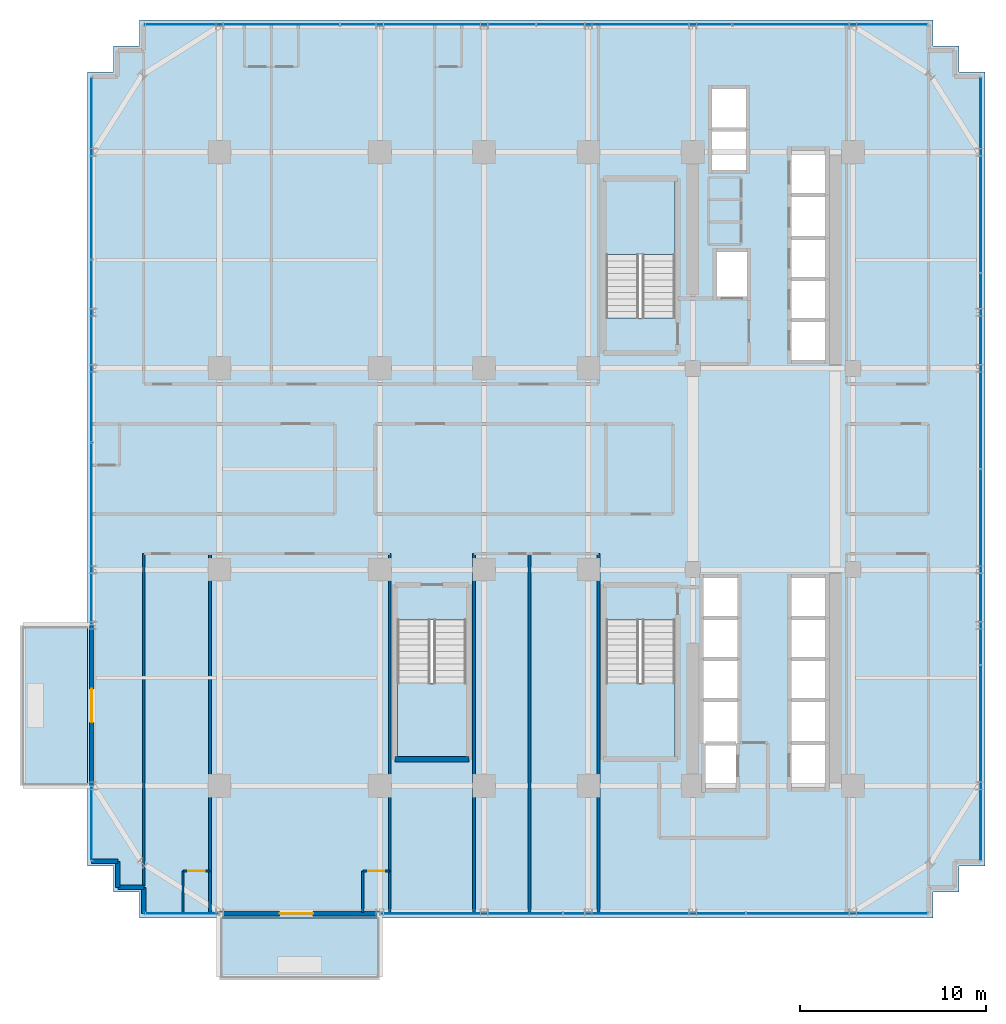
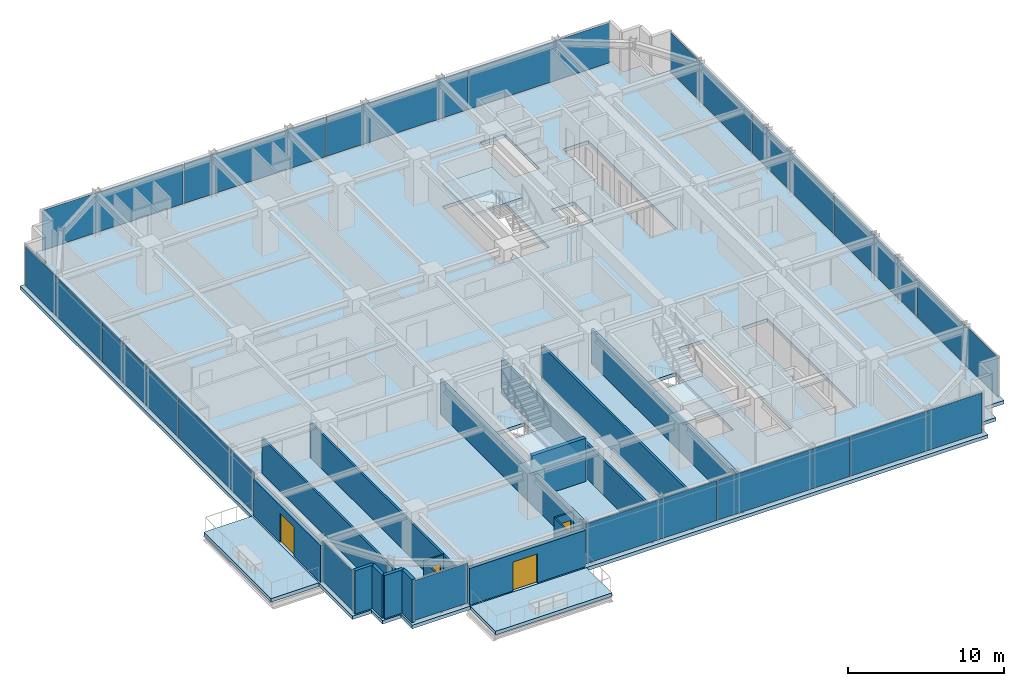
# One storey, part 25 of 32: 17 walls, 16 plates, 6 slabs, 4 doors, 4 openings, 9 elements without a shape of their own.
"""IFC4 building model written with IfcOpenShell, lengths in metres."""

from ifc_helpers import new_model, si_unit, direction, frame, frame_2d, origin, origin_2d, place, context, subcontext, project, spatial, polyline, rectangle, outline, extrude, source, transform, mapped, material, layer, layer_set, type_object, element, fill, aggregate, save


model = new_model("IFC4")

# Units and contexts
model_context = context("Model", 3, precision=1e-05, world=origin(), true_north=direction((0.0, 1.0)))
body_context = subcontext(model_context, "Body", "Model", "MODEL_VIEW")
ifc_project = project(units=[si_unit("LENGTHUNIT", "METRE"), si_unit("AREAUNIT", "SQUARE_METRE"), si_unit("VOLUMEUNIT", "CUBIC_METRE"), si_unit("PLANEANGLEUNIT", "RADIAN"), si_unit("MASSUNIT", "GRAM", prefix="KILO")], contexts=[model_context])

# Site, building, storey
site_placement = place(None, origin())
site = spatial("IfcSite", under=ifc_project, at=site_placement, CompositionType="ELEMENT")
building_placement = place(site_placement, origin())
building = spatial("IfcBuilding", under=site, at=building_placement, Name="Nahalor Promenade Grand Hotel", CompositionType="ELEMENT")
storey_placement = place(building_placement, frame((0.0, 0.0, 110.199951171875)))
storey = spatial("IfcBuildingStorey", under=building, at=storey_placement, Name="L27", CompositionType="ELEMENT", Elevation=110.199951171875)

# Stair, slab
ifc_material_1 = material(Name="Concrete B-50 (C40/50)", Category="concrete")
stair_type_1 = type_object("IfcStairType", Name="Stair-ST1", PredefinedType="HALF_TURN_STAIR", material=ifc_material_1)
stair_1_placement = place(storey_placement, origin())
stair_1 = element("IfcStair", 1, at=stair_1_placement, inside=storey, type_object=stair_type_1, Name="L27 ST1", PredefinedType="HALF_TURN_STAIR")
ifc_layer_1 = layer(ifc_material_1, 0.199951171875)
ifc_layer_set_1 = layer_set([ifc_layer_1], Name="Concrete B-50 (C40/50)")
slab_type_1 = type_object("IfcSlabType", Name="Landing-ST1", PredefinedType="LANDING", material=ifc_layer_set_1)
slab_1_placement = place(storey_placement, frame((0.0, 0.0, 1.625)))
slab_1 = element("IfcSlab", 2, at=slab_1_placement, type_object=slab_type_1, Name="ST1 landing 1", PredefinedType="LANDING", context=body_context, shape_type="SweptSolid", body=[
    extrude(outline(polyline([(7.449951171875, 11.5), (7.449951171875, 15.449951171875), (3.75, 15.449951171875), (3.75, 11.5), (7.449951171875, 11.5)])), origin(), (0.0, 0.0, 1.0), 0.199951171875),
])
aggregate(stair_1, [slab_1])

stair_type_2 = type_object("IfcStairType", Name="Stair-ST2", PredefinedType="HALF_TURN_STAIR", material=ifc_material_1)
stair_2_placement = place(storey_placement, origin())
stair_2 = element("IfcStair", 3, at=stair_2_placement, inside=storey, type_object=stair_type_2, Name="L27 ST2", PredefinedType="HALF_TURN_STAIR")
ifc_layer_2 = layer(ifc_material_1, 0.2099609375)
ifc_layer_set_2 = layer_set([ifc_layer_2], Name="Concrete B-50 (C40/50)")
slab_type_2 = type_object("IfcSlabType", Name="Landing-ST2", PredefinedType="LANDING", material=ifc_layer_set_2)
slab_2_placement = place(storey_placement, frame((0.0, 0.0, 1.614990234375)))
slab_2 = element("IfcSlab", 4, at=slab_2_placement, type_object=slab_type_2, Name="ST2 landing 1", PredefinedType="LANDING", context=body_context, shape_type="SweptSolid", body=[
    extrude(outline(polyline([(3.75, -11.5), (3.75, -15.449951171875), (7.449951171875, -15.449951171875), (7.449951171875, -11.5), (3.75, -11.5)])), origin(), (0.0, 0.0, 1.0), 0.2099609375),
])
aggregate(stair_2, [slab_2])

stair_type_3 = type_object("IfcStairType", Name="Stair-ST3", PredefinedType="HALF_TURN_STAIR", material=ifc_material_1)
stair_3_placement = place(storey_placement, origin())
stair_3 = element("IfcStair", 5, at=stair_3_placement, inside=storey, type_object=stair_type_3, Name="L27 ST3", PredefinedType="HALF_TURN_STAIR")
ifc_layer_3 = layer(ifc_material_1, 0.219970703125)
ifc_layer_set_3 = layer_set([ifc_layer_3], Name="Concrete B-50 (C40/50)")
slab_type_3 = type_object("IfcSlabType", Name="Landing-ST3", PredefinedType="LANDING", material=ifc_layer_set_3)
slab_3_placement = place(storey_placement, frame((0.0, 0.0, 1.60498046875)))
slab_3 = element("IfcSlab", 6, at=slab_3_placement, type_object=slab_type_3, Name="ST3 landing 1", PredefinedType="LANDING", context=body_context, shape_type="SweptSolid", body=[
    extrude(outline(polyline([(-7.449951171875, -11.5), (-7.449951171875, -15.449951171875), (-3.75, -15.449951171875), (-3.75, -11.5), (-7.449951171875, -11.5)])), origin(), (0.0, 0.0, 1.0), 0.219970703125),
])
aggregate(stair_3, [slab_3])

# Slabs
ifc_layer_4 = layer(ifc_material_1, 0.280029296875)
ifc_layer_set_4 = layer_set([ifc_layer_4], Name="Concrete B-50 (C40/50)")
slab_type_4 = type_object("IfcSlabType", Name="Slab-Balcony-280", PredefinedType="FLOOR", material=ifc_layer_set_4)
slab_4_placement = place(storey_placement, frame((0.0, 0.0, -0.280029296875)))
element("IfcSlab", 7, at=slab_4_placement, inside=storey, type_object=slab_type_4, Name="L27 Cantilevered Planted Balcony 1", PredefinedType="FLOOR", context=body_context, shape_type="SweptSolid", body=[
    extrude(outline(polyline([(-17.0, -27.360107421875), (-8.39990234375, -27.360107421875), (-8.39990234375, -24.10009765625), (-17.0, -24.10009765625), (-17.0, -27.360107421875)])), origin(), (0.0, 0.0, 1.0), 0.280029296875),
])
slab_5_placement = place(storey_placement, frame((0.0, 0.0, -0.280029296875)))
element("IfcSlab", 8, at=slab_5_placement, inside=storey, type_object=slab_type_4, Name="L27 Cantilevered Planted Balcony 2", PredefinedType="FLOOR", context=body_context, shape_type="SweptSolid", body=[
    extrude(outline(polyline([(-27.639892578125, -17.0), (-24.10009765625, -17.0), (-24.10009765625, -8.39990234375), (-27.639892578125, -8.39990234375), (-27.639892578125, -17.0)])), origin(), (0.0, 0.0, 1.0), 0.280029296875),
])
ifc_layer_5 = layer(ifc_material_1, 0.27001953125)
ifc_layer_set_5 = layer_set([ifc_layer_5], Name="Concrete B-50 (C40/50)")
slab_type_5 = type_object("IfcSlabType", Name="Slab-TowerZ2-270", PredefinedType="FLOOR", material=ifc_layer_set_5)
slab_6_placement = place(storey_placement, frame((0.0, 0.0, -0.27001953125)))
element("IfcSlab", 9, at=slab_6_placement, inside=storey, type_object=slab_type_5, Name="L27 Suspended Structural Floor Slab", PredefinedType="FLOOR", context=body_context, shape_type="SweptSolid", body=[
    extrude(outline(polyline([(-21.300048828125, -24.10009765625), (21.300048828125, -24.10009765625), (21.300048828125, -22.699951171875), (22.699951171875, -22.699951171875), (22.699951171875, -21.300048828125), (24.10009765625, -21.300048828125), (24.10009765625, 21.300048828125), (22.699951171875, 21.300048828125), (22.699951171875, 22.699951171875), (21.300048828125, 22.699951171875), (21.300048828125, 24.10009765625), (-21.300048828125, 24.10009765625), (-21.300048828125, 22.699951171875), (-22.699951171875, 22.699951171875), (-22.699951171875, 21.300048828125), (-24.10009765625, 21.300048828125), (-24.10009765625, -21.300048828125), (-22.699951171875, -21.300048828125), (-22.699951171875, -22.699951171875), (-21.300048828125, -22.699951171875), (-21.300048828125, -24.10009765625)]), holes=[polyline([(3.75, 8.10009765625), (7.449951171875, 8.10009765625), (7.449951171875, 15.449951171875), (3.75, 15.449951171875), (3.75, 8.10009765625)]), polyline([(3.75, -15.449951171875), (7.449951171875, -15.449951171875), (7.449951171875, -8.10009765625), (3.75, -8.10009765625), (3.75, -15.449951171875)]), polyline([(-7.449951171875, -15.449951171875), (-3.75, -15.449951171875), (-3.75, -8.10009765625), (-7.449951171875, -8.10009765625), (-7.449951171875, -15.449951171875)]), polyline([(13.659912109375, 5.81005859375), (15.5400390625, 5.81005859375), (15.5400390625, 17.139892578125), (13.659912109375, 17.139892578125), (13.659912109375, 5.81005859375)]), polyline([(13.659912109375, -17.139892578125), (15.5400390625, -17.139892578125), (15.5400390625, -5.81005859375), (13.659912109375, -5.81005859375), (13.659912109375, -17.139892578125)]), polyline([(8.9599609375, -17.18994140625), (10.840087890625, -17.18994140625), (10.840087890625, -5.81005859375), (8.9599609375, -5.81005859375), (8.9599609375, -17.18994140625)]), polyline([(9.409912109375, 16.010009765625), (11.2900390625, 16.010009765625), (11.2900390625, 20.43994140625), (9.409912109375, 20.43994140625), (9.409912109375, 16.010009765625)]), polyline([(9.659912109375, 9.2099609375), (11.340087890625, 9.2099609375), (11.340087890625, 11.68994140625), (9.659912109375, 11.68994140625), (9.659912109375, 9.2099609375)])]), origin(), (0.0, 0.0, 1.0), 0.27001953125),
])

# Curtain wall, plate
ifc_material_2 = material(Name="Anodised Bronze Aluminium EN AW-6063 T6", Category="aluminium")
curtain_wall_type = type_object("IfcCurtainWallType", Name="CW2 Typical Hotel Flush Bronze Unitised Curtain Wall", PredefinedType="USERDEFINED", material=ifc_material_2)
curtain_wall_1_placement = place(storey_placement, origin())
curtain_wall_1 = element("IfcCurtainWall", 10, at=curtain_wall_1_placement, inside=storey, type_object=curtain_wall_type, Name="L27 Curtain Wall CW-L27-S-1", ObjectType="UNITISED_CURTAIN_WALL", PredefinedType="USERDEFINED")
ifc_material_3 = material(Name="Low-E Laminated Solar Glass", Category="glass")
ifc_layer_6 = layer(ifc_material_3, 0.028076171875)
ifc_layer_set_6 = layer_set([ifc_layer_6], Name="Low-E Laminated Solar Glass")
plate_type = type_object("IfcPlateType", Name="CWP2 Bronze Low-E Vision IGU 28mm", PredefinedType="CURTAIN_PANEL", material=ifc_layer_set_6)
shared_shape_1 = source(origin(), body_context, "Body", "SweptSolid", [
    extrude(rectangle(XDim=3.929931640625, YDim=0.028076171875, at=origin_2d()), origin(), (0.0, 0.0, 1.0), 3.1201171875),
])
plate_1_placement = place(storey_placement, frame((-19.030029296875, -23.860107421875, 0.1298828125), z_axis=(0.0, 0.0, 1.0), x_axis=(1.0, 0.0, 0.0)))
plate_1 = element("IfcPlate", 11, at=plate_1_placement, type_object=plate_type, Name="CW-L27-S-1 Glazing Panel 0-0", PredefinedType="CURTAIN_PANEL", context=body_context, shape_type="MappedRepresentation", body=[
    mapped(shared_shape_1, transform((0.0, 0.0, 0.0), scale=1.0)),
])
aggregate(curtain_wall_1, [plate_1])

curtain_wall_2_placement = place(storey_placement, origin())
curtain_wall_2 = element("IfcCurtainWall", 12, at=curtain_wall_2_placement, inside=storey, type_object=curtain_wall_type, Name="L27 Curtain Wall CW-L27-W-1", ObjectType="UNITISED_CURTAIN_WALL", PredefinedType="USERDEFINED")
plate_2_placement = place(storey_placement, frame((-23.860107421875, -19.030029296875, 0.1298828125), z_axis=(0.0, 0.0, 1.0), x_axis=(0.0, 1.0, 0.0)))
plate_2 = element("IfcPlate", 13, at=plate_2_placement, type_object=plate_type, Name="CW-L27-W-1 Glazing Panel 0-0", PredefinedType="CURTAIN_PANEL", context=body_context, shape_type="MappedRepresentation", body=[
    mapped(shared_shape_1, transform((0.0, 0.0, 0.0), scale=1.0)),
])
aggregate(curtain_wall_2, [plate_2])

# Curtain wall, plates
curtain_wall_3_placement = place(storey_placement, origin())
curtain_wall_3 = element("IfcCurtainWall", 14, at=curtain_wall_3_placement, inside=storey, type_object=curtain_wall_type, Name="L27 Curtain Wall CW-L27-S-3", ObjectType="UNITISED_CURTAIN_WALL", PredefinedType="USERDEFINED")
shared_shape_2 = source(origin(), body_context, "Body", "SweptSolid", [
    extrude(rectangle(XDim=9.722412109375, YDim=0.028076171875, at=origin_2d()), origin(), (0.0, 0.0, 1.0), 3.1201171875),
])
plate_3_placement = place(storey_placement, frame((-3.4736328125, -23.860107421875, 0.1298828125), z_axis=(0.0, 0.0, 1.0), x_axis=(1.0, 0.0, 0.0)))
plate_3 = element("IfcPlate", 15, at=plate_3_placement, type_object=plate_type, Name="CW-L27-S-3 Glazing Panel 0-0", PredefinedType="CURTAIN_PANEL", context=body_context, shape_type="MappedRepresentation", body=[
    mapped(shared_shape_2, transform((0.0, 0.0, 0.0), scale=1.0)),
])
plate_4_placement = place(storey_placement, frame((16.1337890625, -23.860107421875, 0.1298828125), z_axis=(0.0, 0.0, 1.0), x_axis=(1.0, 0.0, 0.0)))
plate_4 = element("IfcPlate", 16, at=plate_4_placement, type_object=plate_type, Name="CW-L27-S-3 Glazing Panel 2-0", PredefinedType="CURTAIN_PANEL", context=body_context, shape_type="MappedRepresentation", body=[
    mapped(shared_shape_2, transform((0.0, 0.0, 0.0), scale=1.0)),
])

curtain_wall_4_placement = place(storey_placement, origin())
curtain_wall_4 = element("IfcCurtainWall", 17, at=curtain_wall_4_placement, inside=storey, type_object=curtain_wall_type, Name="L27 Curtain Wall CW-L27-W-3", ObjectType="UNITISED_CURTAIN_WALL", PredefinedType="USERDEFINED")
plate_5_placement = place(storey_placement, frame((-23.860107421875, -3.4736328125, 0.1298828125), z_axis=(0.0, 0.0, 1.0), x_axis=(0.0, 1.0, 0.0)))
plate_5 = element("IfcPlate", 18, at=plate_5_placement, type_object=plate_type, Name="CW-L27-W-3 Glazing Panel 0-0", PredefinedType="CURTAIN_PANEL", context=body_context, shape_type="MappedRepresentation", body=[
    mapped(shared_shape_2, transform((0.0, 0.0, 0.0), scale=1.0)),
])
plate_6_placement = place(storey_placement, frame((-23.860107421875, 16.1337890625, 0.1298828125), z_axis=(0.0, 0.0, 1.0), x_axis=(0.0, 1.0, 0.0)))
plate_6 = element("IfcPlate", 19, at=plate_6_placement, type_object=plate_type, Name="CW-L27-W-3 Glazing Panel 2-0", PredefinedType="CURTAIN_PANEL", context=body_context, shape_type="MappedRepresentation", body=[
    mapped(shared_shape_2, transform((0.0, 0.0, 0.0), scale=1.0)),
])

# Plate
shared_shape_3 = source(origin(), body_context, "Body", "SweptSolid", [
    extrude(rectangle(XDim=9.7548828125, YDim=0.028076171875, at=origin_2d()), origin(), (0.0, 0.0, 1.0), 3.1201171875),
])
plate_7_placement = place(storey_placement, frame((6.330078125, -23.860107421875, 0.1298828125), z_axis=(0.0, 0.0, 1.0), x_axis=(1.0, 0.0, 0.0)))
plate_7 = element("IfcPlate", 20, at=plate_7_placement, type_object=plate_type, Name="CW-L27-S-3 Glazing Panel 1-0", PredefinedType="CURTAIN_PANEL", context=body_context, shape_type="MappedRepresentation", body=[
    mapped(shared_shape_3, transform((0.0, 0.0, 0.0), scale=1.0)),
])

aggregate(curtain_wall_3, [plate_3, plate_7, plate_4])

plate_8_placement = place(storey_placement, frame((-23.860107421875, 6.330078125, 0.1298828125), z_axis=(0.0, 0.0, 1.0), x_axis=(0.0, 1.0, 0.0)))
plate_8 = element("IfcPlate", 21, at=plate_8_placement, type_object=plate_type, Name="CW-L27-W-3 Glazing Panel 1-0", PredefinedType="CURTAIN_PANEL", context=body_context, shape_type="MappedRepresentation", body=[
    mapped(shared_shape_3, transform((0.0, 0.0, 0.0), scale=1.0)),
])

aggregate(curtain_wall_4, [plate_5, plate_8, plate_6])

# Curtain wall, plates
curtain_wall_5_placement = place(storey_placement, origin())
curtain_wall_5 = element("IfcCurtainWall", 22, at=curtain_wall_5_placement, inside=storey, type_object=curtain_wall_type, Name="L27 Curtain Wall CW-L27-N-1", ObjectType="UNITISED_CURTAIN_WALL", PredefinedType="USERDEFINED")
shared_shape_4 = source(origin(), body_context, "Body", "SweptSolid", [
    extrude(rectangle(XDim=10.4326171875, YDim=0.028076171875, at=origin_2d()), origin(), (0.0, 0.0, 1.0), 3.1201171875),
])
plate_9_placement = place(storey_placement, frame((-15.77880859375, 23.860107421875, 0.1298828125), z_axis=(0.0, 0.0, 1.0), x_axis=(1.0, 0.0, 0.0)))
plate_9 = element("IfcPlate", 23, at=plate_9_placement, type_object=plate_type, Name="CW-L27-N-1 Glazing Panel 0-0", PredefinedType="CURTAIN_PANEL", context=body_context, shape_type="MappedRepresentation", body=[
    mapped(shared_shape_4, transform((0.0, 0.0, 0.0), scale=1.0)),
])
plate_10_placement = place(storey_placement, frame((15.77880859375, 23.860107421875, 0.1298828125), z_axis=(0.0, 0.0, 1.0), x_axis=(1.0, 0.0, 0.0)))
plate_10 = element("IfcPlate", 24, at=plate_10_placement, type_object=plate_type, Name="CW-L27-N-1 Glazing Panel 3-0", PredefinedType="CURTAIN_PANEL", context=body_context, shape_type="MappedRepresentation", body=[
    mapped(shared_shape_4, transform((0.0, 0.0, 0.0), scale=1.0)),
])

curtain_wall_6_placement = place(storey_placement, origin())
curtain_wall_6 = element("IfcCurtainWall", 25, at=curtain_wall_6_placement, inside=storey, type_object=curtain_wall_type, Name="L27 Curtain Wall CW-L27-E-1", ObjectType="UNITISED_CURTAIN_WALL", PredefinedType="USERDEFINED")
plate_11_placement = place(storey_placement, frame((23.860107421875, -15.77880859375, 0.1298828125), z_axis=(0.0, 0.0, 1.0), x_axis=(0.0, 1.0, 0.0)))
plate_11 = element("IfcPlate", 26, at=plate_11_placement, type_object=plate_type, Name="CW-L27-E-1 Glazing Panel 0-0", PredefinedType="CURTAIN_PANEL", context=body_context, shape_type="MappedRepresentation", body=[
    mapped(shared_shape_4, transform((0.0, 0.0, 0.0), scale=1.0)),
])
plate_12_placement = place(storey_placement, frame((23.860107421875, 15.77880859375, 0.1298828125), z_axis=(0.0, 0.0, 1.0), x_axis=(0.0, 1.0, 0.0)))
plate_12 = element("IfcPlate", 27, at=plate_12_placement, type_object=plate_type, Name="CW-L27-E-1 Glazing Panel 3-0", PredefinedType="CURTAIN_PANEL", context=body_context, shape_type="MappedRepresentation", body=[
    mapped(shared_shape_4, transform((0.0, 0.0, 0.0), scale=1.0)),
])

# Plate
shared_shape_5 = source(origin(), body_context, "Body", "SweptSolid", [
    extrude(rectangle(XDim=10.465087890625, YDim=0.028076171875, at=origin_2d()), origin(), (0.0, 0.0, 1.0), 3.1201171875),
])
plate_13_placement = place(storey_placement, frame((-5.264892578125, 23.860107421875, 0.1298828125), z_axis=(0.0, 0.0, 1.0), x_axis=(1.0, 0.0, 0.0)))
plate_13 = element("IfcPlate", 28, at=plate_13_placement, type_object=plate_type, Name="CW-L27-N-1 Glazing Panel 1-0", PredefinedType="CURTAIN_PANEL", context=body_context, shape_type="MappedRepresentation", body=[
    mapped(shared_shape_5, transform((0.0, 0.0, 0.0), scale=1.0)),
])

plate_14_placement = place(storey_placement, frame((5.264892578125, 23.860107421875, 0.1298828125), z_axis=(0.0, 0.0, 1.0), x_axis=(1.0, 0.0, 0.0)))
plate_14 = element("IfcPlate", 29, at=plate_14_placement, type_object=plate_type, Name="CW-L27-N-1 Glazing Panel 2-0", PredefinedType="CURTAIN_PANEL", context=body_context, shape_type="MappedRepresentation", body=[
    mapped(shared_shape_5, transform((0.0, 0.0, 0.0), scale=1.0)),
])

aggregate(curtain_wall_5, [plate_9, plate_13, plate_14, plate_10])

plate_15_placement = place(storey_placement, frame((23.860107421875, -5.264892578125, 0.1298828125), z_axis=(0.0, 0.0, 1.0), x_axis=(0.0, 1.0, 0.0)))
plate_15 = element("IfcPlate", 30, at=plate_15_placement, type_object=plate_type, Name="CW-L27-E-1 Glazing Panel 1-0", PredefinedType="CURTAIN_PANEL", context=body_context, shape_type="MappedRepresentation", body=[
    mapped(shared_shape_5, transform((0.0, 0.0, 0.0), scale=1.0)),
])

plate_16_placement = place(storey_placement, frame((23.860107421875, 5.264892578125, 0.1298828125), z_axis=(0.0, 0.0, 1.0), x_axis=(0.0, 1.0, 0.0)))
plate_16 = element("IfcPlate", 31, at=plate_16_placement, type_object=plate_type, Name="CW-L27-E-1 Glazing Panel 2-0", PredefinedType="CURTAIN_PANEL", context=body_context, shape_type="MappedRepresentation", body=[
    mapped(shared_shape_5, transform((0.0, 0.0, 0.0), scale=1.0)),
])

aggregate(curtain_wall_6, [plate_11, plate_15, plate_16, plate_12])

# Walls
ifc_layer_7 = layer(ifc_material_1, 0.300048828125)
ifc_layer_set_7 = layer_set([ifc_layer_7], Name="Concrete B-50 (C40/50)")
wall_type_1 = type_object("IfcWallType", Name="Wall-ShaftShear-300", PredefinedType="SHEAR", material=ifc_layer_set_7)
shared_shape_6 = source(origin(), body_context, "Body", "SweptSolid", [
    extrude(rectangle(XDim=3.97998046875, YDim=0.300048828125, at=frame_2d((1.989990234375, 0.0))), origin(), (0.0, 0.0, 1.0), 3.380126953125),
])
wall_1_placement = place(storey_placement, frame((-7.590087890625, -15.590087890625, 0.0), z_axis=(0.0, 0.0, 1.0), x_axis=(1.0, 0.0, 0.0)))
element("IfcWall", 32, at=wall_1_placement, inside=storey, type_object=wall_type_1, Name="L27 Exit Stair ST3 Shaft Wall S", PredefinedType="SHEAR", context=body_context, shape_type="MappedRepresentation", body=[
    mapped(shared_shape_6, transform((0.0, 0.0, 0.0), scale=1.0)),
])
ifc_material_4 = material(Name="Concrete B-40 (C32/40)", Category="concrete")
ifc_layer_8 = layer(ifc_material_4, 0.25)
ifc_layer_set_8 = layer_set([ifc_layer_8], Name="Concrete B-40 (C32/40)")
wall_type_2 = type_object("IfcWallType", Name="Wall-BronzePier-250", PredefinedType="STANDARD", material=ifc_layer_set_8)
shared_shape_7 = source(origin(), body_context, "Body", "SweptSolid", [
    extrude(rectangle(XDim=1.400146484375, YDim=0.25, at=frame_2d((0.7001953125, 0.0))), origin(), (0.0, 0.0, 1.0), 3.380126953125),
])
for number, where, z_axis, x_axis, name in (
    (33, (-23.860107421875, -21.06005859375, 0.0), (0.0, 0.0, 1.0), (1.0, 0.0, 0.0), "W-L27-SR-13"),
    (34, (-21.06005859375, -23.860107421875, 0.0), (0.0, 0.0, 1.0), (0.0, 1.0, 0.0), "W-L27-SR-16"),
):
    element("IfcWall", number, at=place(storey_placement, frame(where, z_axis=z_axis, x_axis=x_axis)), inside=storey, type_object=wall_type_2, Name=name, PredefinedType="STANDARD", context=body_context, shape_type="MappedRepresentation", body=[
        mapped(shared_shape_7, transform((0.0, 0.0, 0.0), scale=1.0)),
    ])
shared_shape_8 = source(origin(), body_context, "Body", "SweptSolid", [
    extrude(rectangle(XDim=1.39990234375, YDim=0.25, at=frame_2d((0.699951171875, 0.0))), origin(), (0.0, 0.0, 1.0), 3.380126953125),
])
for number, where, z_axis, x_axis, name in (
    (35, (-22.4599609375, -22.4599609375, 0.0), (0.0, 0.0, 1.0), (0.0, 1.0, 0.0), "W-L27-SR-14"),
    (36, (-22.4599609375, -22.4599609375, 0.0), (0.0, 0.0, 1.0), (1.0, 0.0, 0.0), "W-L27-SR-15"),
):
    element("IfcWall", number, at=place(storey_placement, frame(where, z_axis=z_axis, x_axis=x_axis)), inside=storey, type_object=wall_type_2, Name=name, PredefinedType="STANDARD", context=body_context, shape_type="MappedRepresentation", body=[
        mapped(shared_shape_8, transform((0.0, 0.0, 0.0), scale=1.0)),
    ])

# Wall, opening, door
ifc_layer_9 = layer(ifc_material_4, 0.260009765625)
ifc_layer_set_9 = layer_set([ifc_layer_9], Name="Concrete B-40 (C32/40)")
wall_type_3 = type_object("IfcWallType", Name="Wall-BalconyWall-260", PredefinedType="STANDARD", material=ifc_layer_set_9)
shared_shape_9 = source(origin(), body_context, "Body", "SweptSolid", [
    extrude(rectangle(XDim=8.60009765625, YDim=0.260009765625, at=frame_2d((4.300048828125, 0.0))), origin(), (0.0, 0.0, 1.0), 2.860107421875),
])
wall_2_placement = place(storey_placement, frame((-17.0, -23.860107421875, 0.0), z_axis=(0.0, 0.0, 1.0), x_axis=(1.0, 0.0, 0.0)))
wall_2 = element("IfcWall", 37, at=wall_2_placement, inside=storey, type_object=wall_type_3, Name="W-L27-BALC-S-2", PredefinedType="STANDARD", context=body_context, shape_type="MappedRepresentation", body=[
    mapped(shared_shape_9, transform((0.0, 0.0, 0.0), scale=1.0)),
])
opening_1_placement = place(wall_2_placement, frame((3.219970703125, 0.0, 0.0)))
opening_1 = element("IfcOpeningElement", 38, at=opening_1_placement, cuts=wall_2, Name="Opening D-BC1", PredefinedType="OPENING", context=body_context, shape_type="SweptSolid", body=[
    extrude(rectangle(XDim=1.800048828125, YDim=2.25, at=frame_2d((0.89990234375, 1.125))), frame((0.0, 0.139892578125, 0.0), z_axis=(0.0, -1.0, 0.0), x_axis=(1.0, 0.0, 0.0)), (0.0, 0.0, 1.0), 0.280029296875),
])
door_type_1 = type_object("IfcDoorType", Name="Door-BalconySlide-1800", OperationType="DOUBLE_DOOR_SLIDING", PredefinedType="DOOR", material=ifc_material_2)
shared_shape_10 = source(origin(), body_context, "Body", "SweptSolid", [
    extrude(rectangle(XDim=1.800048828125, YDim=2.25, at=frame_2d((0.89990234375, 1.125))), frame((0.0, 0.02490234375, 0.0), z_axis=(0.0, -1.0, 0.0), x_axis=(1.0, 0.0, 0.0)), (0.0, 0.0, 1.0), 0.050048828125),
])
door_1_placement = place(opening_1_placement, frame((1.800048828125, 0.0, 0.0), z_axis=(0.0, 0.0, 1.0), x_axis=(-1.0, 0.0, 0.0)))
door_1 = element("IfcDoor", 39, at=door_1_placement, inside=storey, type_object=door_type_1, Name="DR-L27-BALC-S-2", OperationType="DOUBLE_DOOR_SLIDING", OverallHeight=2.25, OverallWidth=1.800048828125, PredefinedType="DOOR", context=body_context, shape_type="MappedRepresentation", body=[
    mapped(shared_shape_10, transform((0.0, 0.0, 0.0), scale=1.0)),
])
fill(opening_1, door_1)

wall_3_placement = place(storey_placement, frame((-23.860107421875, -17.0, 0.0), z_axis=(0.0, 0.0, 1.0), x_axis=(0.0, 1.0, 0.0)))
wall_3 = element("IfcWall", 40, at=wall_3_placement, inside=storey, type_object=wall_type_3, Name="W-L27-BALC-W-2", PredefinedType="STANDARD", context=body_context, shape_type="MappedRepresentation", body=[
    mapped(shared_shape_9, transform((0.0, 0.0, 0.0), scale=1.0)),
])
opening_2_placement = place(wall_3_placement, frame((3.39990234375, 0.0, 0.0)))
opening_2 = element("IfcOpeningElement", 41, at=opening_2_placement, cuts=wall_3, Name="Opening D-BC1", PredefinedType="OPENING", context=body_context, shape_type="SweptSolid", body=[
    extrude(rectangle(XDim=1.800048828125, YDim=2.25, at=frame_2d((0.89990234375, 1.125))), frame((0.0, 0.139892578125, 0.0), z_axis=(0.0, -1.0, 0.0), x_axis=(1.0, 0.0, 0.0)), (0.0, 0.0, 1.0), 0.280029296875),
])
door_2_placement = place(opening_2_placement, origin())
door_2 = element("IfcDoor", 42, at=door_2_placement, inside=storey, type_object=door_type_1, Name="DR-L27-BALC-W-2", OperationType="DOUBLE_DOOR_SLIDING", OverallHeight=2.25, OverallWidth=1.800048828125, PredefinedType="DOOR", context=body_context, shape_type="MappedRepresentation", body=[
    mapped(shared_shape_10, transform((0.0, 0.0, 0.0), scale=1.0)),
])
fill(opening_2, door_2)

# Walls
ifc_material_5 = material(Name="Acoustic Mineral Gypsum", Category="gypsum")
ifc_layer_10 = layer(ifc_material_5, 0.159912109375)
ifc_layer_set_10 = layer_set([ifc_layer_10], Name="Acoustic Mineral Gypsum")
wall_type_4 = type_object("IfcWallType", Name="Wall-PartCorridor-160", PredefinedType="PARTITIONING", material=ifc_layer_set_10)
shared_shape_11 = source(origin(), body_context, "Body", "SweptSolid", [
    extrude(rectangle(XDim=19.25, YDim=0.159912109375, at=frame_2d((9.625, 0.0))), origin(), (0.0, 0.0, 1.0), 2.719970703125),
])
for number, where, z_axis, x_axis, name in (
    (43, (-3.340087890625, -23.800048828125, 0.0), (0.0, 0.0, 1.0), (0.0, 1.0, 0.0), "W-L27-SCB1-W"),
    (44, (-0.35009765625, -23.800048828125, 0.0), (0.0, 0.0, 1.0), (0.0, 1.0, 0.0), "W-L27-SCB1-E"),
    (45, (3.340087890625, -23.800048828125, 0.0), (0.0, 0.0, 1.0), (0.0, 1.0, 0.0), "W-L27-SCB2-E"),
):
    element("IfcWall", number, at=place(storey_placement, frame(where, z_axis=z_axis, x_axis=x_axis)), inside=storey, type_object=wall_type_4, Name=name, PredefinedType="PARTITIONING", context=body_context, shape_type="MappedRepresentation", body=[
        mapped(shared_shape_11, transform((0.0, 0.0, 0.0), scale=1.0)),
    ])
ifc_layer_11 = layer(ifc_material_5, 0.139892578125)
ifc_layer_set_11 = layer_set([ifc_layer_11], Name="Acoustic Mineral Gypsum")
wall_type_5 = type_object("IfcWallType", Name="Wall-PartSuite-140", PredefinedType="PARTITIONING", material=ifc_layer_set_11)
shared_shape_12 = source(origin(), body_context, "Body", "SweptSolid", [
    extrude(rectangle(XDim=17.829833984375, YDim=0.139892578125, at=frame_2d((8.9150390625, 0.0))), origin(), (0.0, 0.0, 1.0), 2.719970703125),
])
wall_4_placement = place(storey_placement, frame((-21.06005859375, -22.3798828125, 0.0), z_axis=(0.0, 0.0, 1.0), x_axis=(0.0, 1.0, 0.0)))
element("IfcWall", 46, at=wall_4_placement, inside=storey, type_object=wall_type_5, Name="W-L27-SW-ENDW", PredefinedType="PARTITIONING", context=body_context, shape_type="MappedRepresentation", body=[
    mapped(shared_shape_12, transform((0.0, 0.0, 0.0), scale=1.0)),
])
shared_shape_13 = source(origin(), body_context, "Body", "SweptSolid", [
    extrude(rectangle(XDim=19.25, YDim=0.139892578125, at=frame_2d((9.625, 0.0))), origin(), (0.0, 0.0, 1.0), 2.719970703125),
])
for number, where, z_axis, x_axis, name in (
    (47, (-7.860107421875, -23.800048828125, 0.0), (0.0, 0.0, 1.0), (0.0, 1.0, 0.0), "W-L27-SW-ENDE"),
    (48, (-17.510009765625, -23.800048828125, 0.0), (0.0, 0.0, 1.0), (0.0, 1.0, 0.0), "W-L27-SP-1"),
):
    element("IfcWall", number, at=place(storey_placement, frame(where, z_axis=z_axis, x_axis=x_axis)), inside=storey, type_object=wall_type_5, Name=name, PredefinedType="PARTITIONING", context=body_context, shape_type="MappedRepresentation", body=[
        mapped(shared_shape_13, transform((0.0, 0.0, 0.0), scale=1.0)),
    ])
ifc_layer_12 = layer(ifc_material_5, 0.1201171875)
ifc_layer_set_12 = layer_set([ifc_layer_12], Name="Acoustic Mineral Gypsum")
wall_type_6 = type_object("IfcWallType", Name="Wall-PartBath-120", PredefinedType="PARTITIONING", material=ifc_layer_set_12)
shared_shape_14 = source(origin(), body_context, "Body", "SweptSolid", [
    extrude(rectangle(XDim=2.219970703125, YDim=0.1201171875, at=frame_2d((1.10986328125, 0.0))), origin(), (0.0, 0.0, 1.0), 2.719970703125),
])
for number, where, z_axis, x_axis, name in (
    (49, (-18.9599609375, -23.800048828125, 0.0), (0.0, 0.0, 1.0), (0.0, 1.0, 0.0), "W-L27-S1-BV"),
    (50, (-9.31005859375, -23.800048828125, 0.0), (0.0, 0.0, 1.0), (0.0, 1.0, 0.0), "W-L27-S2-BV"),
):
    element("IfcWall", number, at=place(storey_placement, frame(where, z_axis=z_axis, x_axis=x_axis)), inside=storey, type_object=wall_type_6, Name=name, PredefinedType="PARTITIONING", context=body_context, shape_type="MappedRepresentation", body=[
        mapped(shared_shape_14, transform((0.0, 0.0, 0.0), scale=1.0)),
    ])

# Wall, opening, door
shared_shape_15 = source(origin(), body_context, "Body", "SweptSolid", [
    extrude(rectangle(XDim=1.449951171875, YDim=0.1201171875, at=frame_2d((0.72509765625, 0.0))), origin(), (0.0, 0.0, 1.0), 2.719970703125),
])
wall_5_placement = place(storey_placement, frame((-18.9599609375, -21.580078125, 0.0), z_axis=(0.0, 0.0, 1.0), x_axis=(1.0, 0.0, 0.0)))
wall_5 = element("IfcWall", 51, at=wall_5_placement, inside=storey, type_object=wall_type_6, Name="W-L27-S1-BH", PredefinedType="PARTITIONING", context=body_context, shape_type="MappedRepresentation", body=[
    mapped(shared_shape_15, transform((0.0, 0.0, 0.0), scale=1.0)),
])
opening_3_placement = place(wall_5_placement, frame((0.284912109375, 0.0, 0.0)))
opening_3 = element("IfcOpeningElement", 52, at=opening_3_placement, cuts=wall_5, Name="Opening D-03", PredefinedType="OPENING", context=body_context, shape_type="SweptSolid", body=[
    extrude(rectangle(XDim=0.8798828125, YDim=2.10009765625, at=frame_2d((0.43994140625, 1.050048828125))), frame((0.0, 0.070068359375, 0.0), z_axis=(0.0, -1.0, 0.0), x_axis=(1.0, 0.0, 0.0)), (0.0, 0.0, 1.0), 0.14013671875),
])
ifc_material_6 = material(Name="Fire-Rated Timber Composite", Category="wood")
door_type_2 = type_object("IfcDoorType", Name="Door-BathSwing-880", OperationType="NOTDEFINED", PredefinedType="DOOR", material=ifc_material_6)
shared_shape_16 = source(origin(), body_context, "Body", "SweptSolid", [
    extrude(rectangle(XDim=0.8798828125, YDim=2.10009765625, at=frame_2d((0.43994140625, 1.050048828125))), frame((0.0, 0.02490234375, 0.0), z_axis=(0.0, -1.0, 0.0), x_axis=(1.0, 0.0, 0.0)), (0.0, 0.0, 1.0), 0.050048828125),
])
door_3_placement = place(opening_3_placement, frame((0.8798828125, 0.0, 0.0), z_axis=(0.0, 0.0, 1.0), x_axis=(-1.0, 0.0, 0.0)))
door_3 = element("IfcDoor", 53, at=door_3_placement, inside=storey, type_object=door_type_2, Name="DR-L27-S1-BATH", OperationType="SINGLE_SWING_RIGHT", OverallHeight=2.10009765625, OverallWidth=0.8798828125, PredefinedType="DOOR", context=body_context, shape_type="MappedRepresentation", body=[
    mapped(shared_shape_16, transform((0.0, 0.0, 0.0), scale=1.0)),
])
fill(opening_3, door_3)

wall_6_placement = place(storey_placement, frame((-9.31005859375, -21.580078125, 0.0), z_axis=(0.0, 0.0, 1.0), x_axis=(1.0, 0.0, 0.0)))
wall_6 = element("IfcWall", 54, at=wall_6_placement, inside=storey, type_object=wall_type_6, Name="W-L27-S2-BH", PredefinedType="PARTITIONING", context=body_context, shape_type="MappedRepresentation", body=[
    mapped(shared_shape_15, transform((0.0, 0.0, 0.0), scale=1.0)),
])
opening_4_placement = place(wall_6_placement, frame((0.284912109375, 0.0, 0.0)))
opening_4 = element("IfcOpeningElement", 55, at=opening_4_placement, cuts=wall_6, Name="Opening D-03", PredefinedType="OPENING", context=body_context, shape_type="SweptSolid", body=[
    extrude(rectangle(XDim=0.8798828125, YDim=2.10009765625, at=frame_2d((0.43994140625, 1.050048828125))), frame((0.0, 0.070068359375, 0.0), z_axis=(0.0, -1.0, 0.0), x_axis=(1.0, 0.0, 0.0)), (0.0, 0.0, 1.0), 0.14013671875),
])
door_4_placement = place(opening_4_placement, frame((0.8798828125, 0.0, 0.0), z_axis=(0.0, 0.0, 1.0), x_axis=(-1.0, 0.0, 0.0)))
door_4 = element("IfcDoor", 56, at=door_4_placement, inside=storey, type_object=door_type_2, Name="DR-L27-S2-BATH", OperationType="SINGLE_SWING_RIGHT", OverallHeight=2.10009765625, OverallWidth=0.8798828125, PredefinedType="DOOR", context=body_context, shape_type="MappedRepresentation", body=[
    mapped(shared_shape_16, transform((0.0, 0.0, 0.0), scale=1.0)),
])
fill(opening_4, door_4)

save(model, "model.ifc")
